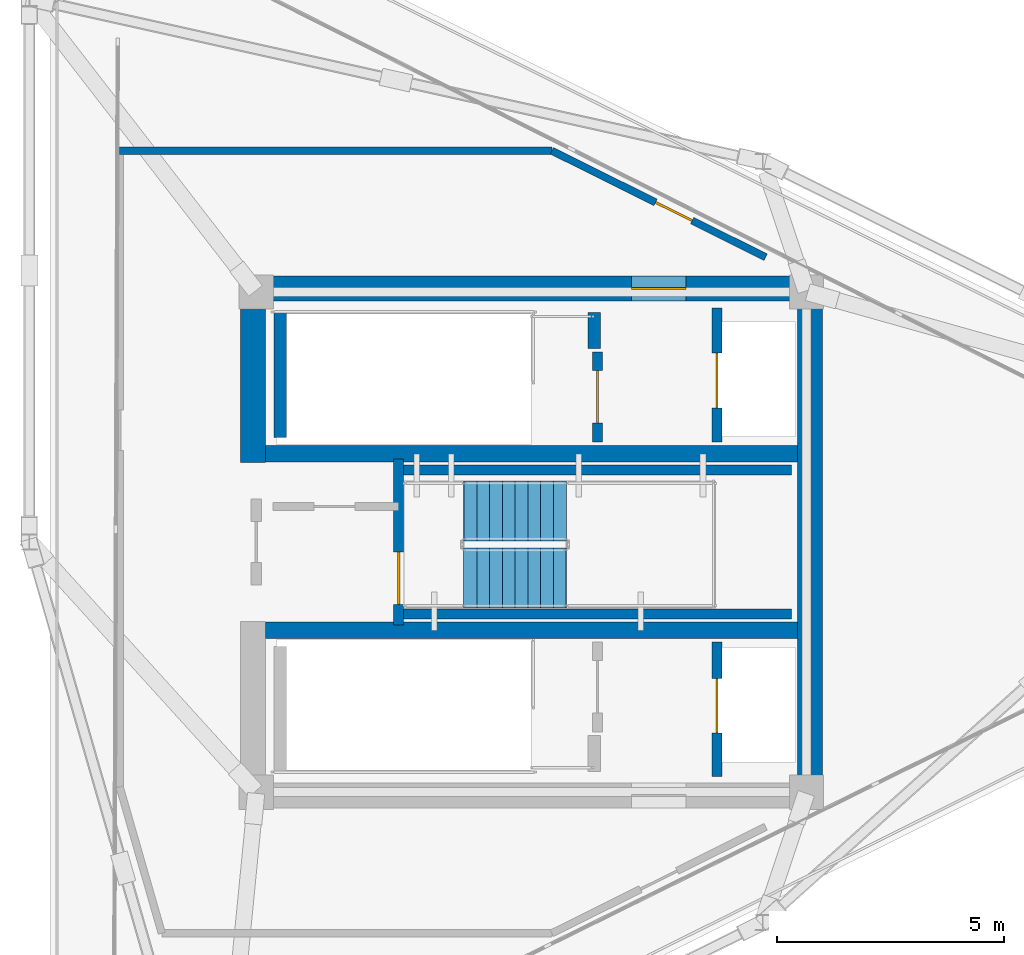
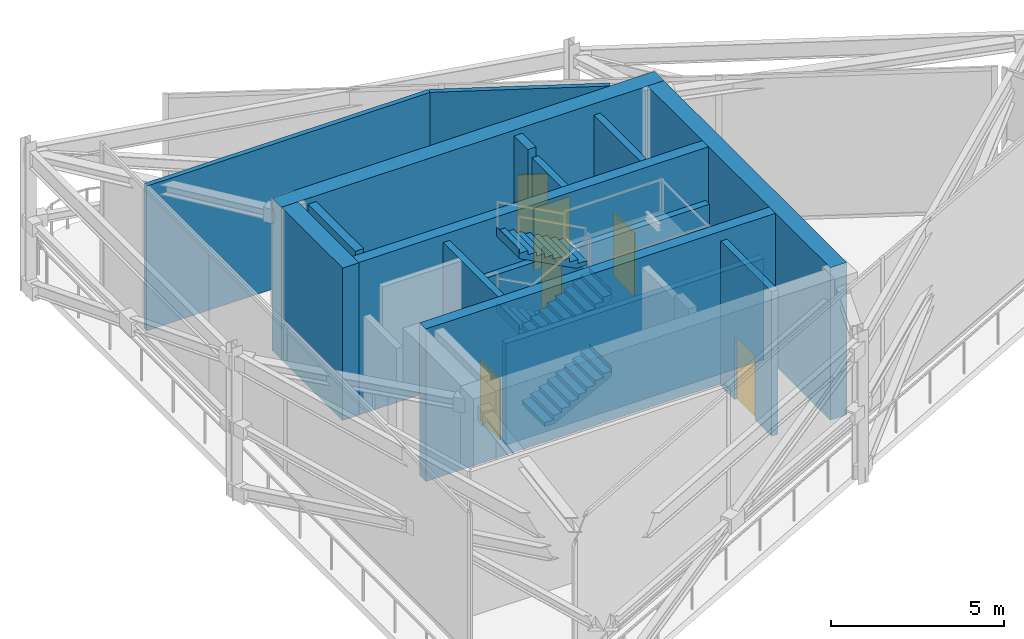
# One storey, part 4 of 7: 15 walls, 6 doors, 4 stair flights, 6 openings, 1 element without a shape of its own.
"""IFC4 building model written with IfcOpenShell, lengths in metres."""

from ifc_helpers import new_model, si_unit, direction, frame, frame_2d, origin, place, context, subcontext, project, spatial, polyline, rectangle, outline, extrude, material, layer, layer_set, type_object, element, fill, aggregate, save


model = new_model("IFC4")

# Units and contexts
model_context = context("Model", 3, precision=1e-05, world=origin(), true_north=direction((0.0, 1.0)))
body_context = subcontext(model_context, "Body", "Model", "MODEL_VIEW")
ifc_project = project(units=[si_unit("LENGTHUNIT", "METRE"), si_unit("AREAUNIT", "SQUARE_METRE"), si_unit("VOLUMEUNIT", "CUBIC_METRE"), si_unit("PLANEANGLEUNIT", "RADIAN"), si_unit("MASSUNIT", "GRAM", prefix="KILO")], contexts=[model_context])

# Site, building, storey
site_placement = place(None, origin())
site = spatial("IfcSite", under=ifc_project, at=site_placement, CompositionType="ELEMENT")
building_placement = place(site_placement, origin())
building = spatial("IfcBuilding", under=site, at=building_placement, Name="Yunling Apex Tower", CompositionType="ELEMENT")
storey_placement = place(building_placement, frame((0.0, 0.0, 322.85009765625)))
storey = spatial("IfcBuildingStorey", under=building, at=storey_placement, Name="C02", CompositionType="ELEMENT", Elevation=322.85009765625)

# Wall, opening, door
ifc_material_1 = material(Name="Concrete C40", Category="concrete")
ifc_layer_1 = layer(ifc_material_1, 0.550048828125)
ifc_layer_set_1 = layer_set([ifc_layer_1], Name="Concrete C40")
wall_type_1 = type_object("IfcWallType", Name="WL-COR-3", PredefinedType="SHEAR", material=ifc_layer_set_1)
wall_1_placement = place(storey_placement, frame((-6.39990234375, 5.574951171875, 0.0), z_axis=(0.0, 0.0, 1.0), x_axis=(1.0, 0.0, 0.0)))
wall_1 = element("IfcWall", 1, at=wall_1_placement, inside=storey, type_object=wall_type_1, Name="C02 North Core Shear Wall", PredefinedType="SHEAR", context=body_context, shape_type="SweptSolid", body=[
    extrude(rectangle(XDim=12.7998046875, YDim=0.550048828125, at=frame_2d((6.39990234375, 0.0))), origin(), (0.0, 0.0, 1.0), 5.39990234375),
])
opening_1_placement = place(wall_1_placement, frame((8.60009765625, 0.0, 0.0)))
opening_1 = element("IfcOpeningElement", 2, at=opening_1_placement, cuts=wall_1, Name="Opening DR-FFL-1", PredefinedType="OPENING", context=body_context, shape_type="SweptSolid", body=[
    extrude(rectangle(XDim=1.199951171875, YDim=2.199951171875, at=frame_2d((0.60009765625, 1.10009765625))), frame((0.0, 0.28515625, 0.0), z_axis=(0.0, -1.0, 0.0), x_axis=(1.0, 0.0, 0.0)), (0.0, 0.0, 1.0), 0.570068359375),
])
ifc_material_2 = material(Name="Steel Q355B", Category="steel")
door_type_1 = type_object("IfcDoorType", Name="DR-FFL-1", OperationType="NOTDEFINED", PredefinedType="DOOR", material=ifc_material_2)
door_1_placement = place(opening_1_placement, origin())
door_1 = element("IfcDoor", 3, at=door_1_placement, inside=storey, type_object=door_type_1, Name="C02 North Firefighting Lobby Door", OperationType="SINGLE_SWING_LEFT", OverallHeight=2.199951171875, OverallWidth=1.199951171875, PredefinedType="DOOR", context=body_context, shape_type="SweptSolid", body=[
    extrude(rectangle(XDim=1.199951171875, YDim=2.199951171875, at=frame_2d((0.60009765625, 1.10009765625))), frame((0.0, 0.02490234375, 0.0), z_axis=(0.0, -1.0, 0.0), x_axis=(1.0, 0.0, 0.0)), (0.0, 0.0, 1.0), 0.050048828125),
])
fill(opening_1, door_1)

# Walls
wall_2_placement = place(storey_placement, frame((6.125, -5.300048828125, 0.0), z_axis=(0.0, 0.0, 1.0), x_axis=(0.0, 1.0, 0.0)))
element("IfcWall", 4, at=wall_2_placement, inside=storey, type_object=wall_type_1, Name="C02 East Core Shear Wall", PredefinedType="SHEAR", context=body_context, shape_type="SweptSolid", body=[
    extrude(rectangle(XDim=10.60009765625, YDim=0.550048828125, at=frame_2d((5.300048828125, 0.0))), origin(), (0.0, 0.0, 1.0), 5.39990234375),
])
wall_3_placement = place(storey_placement, frame((-6.125, 1.75, 0.0), z_axis=(0.0, 0.0, 1.0), x_axis=(0.0, 1.0, 0.0)))
element("IfcWall", 5, at=wall_3_placement, inside=storey, type_object=wall_type_1, Name="C02 West-North Core Shear Wall", PredefinedType="SHEAR", context=body_context, shape_type="SweptSolid", body=[
    extrude(rectangle(XDim=3.550048828125, YDim=0.550048828125, at=frame_2d((1.77490234375, 0.0))), origin(), (0.0, 0.0, 1.0), 5.39990234375),
])
ifc_layer_2 = layer(ifc_material_1, 0.360107421875)
ifc_layer_set_2 = layer_set([ifc_layer_2], Name="Concrete C40")
wall_type_2 = type_object("IfcWallType", Name="WL-COR-4", PredefinedType="SHEAR", material=ifc_layer_set_2)
for number, where, z_axis, x_axis, name in (
    (6, (-5.85009765625, 1.93994140625, 0.0), (0.0, 0.0, 1.0), (1.0, 0.0, 0.0), "C02 North Internal Core Shear Wall"),
    (7, (-5.85009765625, -1.93994140625, 0.0), (0.0, 0.0, 1.0), (1.0, 0.0, 0.0), "C02 South Internal Core Shear Wall"),
):
    element("IfcWall", number, at=place(storey_placement, frame(where, z_axis=z_axis, x_axis=x_axis)), inside=storey, type_object=wall_type_2, Name=name, PredefinedType="SHEAR", context=body_context, shape_type="SweptSolid", body=[
        extrude(rectangle(XDim=11.7001953125, YDim=0.360107421875, at=frame_2d((5.85009765625, 0.0))), origin(), (0.0, 0.0, 1.0), 5.39990234375),
    ])
ifc_layer_3 = layer(ifc_material_1, 0.280029296875)
ifc_layer_set_3 = layer_set([ifc_layer_3], Name="Concrete C40")
wall_type_3 = type_object("IfcWallType", Name="WL-COR-8", PredefinedType="SHEAR", material=ifc_layer_set_3)
wall_4_placement = place(storey_placement, frame((-5.52001953125, 2.300048828125, 0.0), z_axis=(0.0, 0.0, 1.0), x_axis=(0.0, 1.0, 0.0)))
element("IfcWall", 8, at=wall_4_placement, inside=storey, type_object=wall_type_3, Name="C02 ST-1 West Landing Bearing Wall", PredefinedType="SHEAR", context=body_context, shape_type="SweptSolid", body=[
    extrude(rectangle(XDim=2.75, YDim=0.280029296875, at=frame_2d((1.375, 0.0))), origin(), (0.0, 0.0, 1.0), 5.39990234375),
])
wall_5_placement = place(storey_placement, frame((1.3798828125, 4.25, 0.0), z_axis=(0.0, 0.0, 1.0), x_axis=(0.0, 1.0, 0.0)))
element("IfcWall", 9, at=wall_5_placement, inside=storey, type_object=wall_type_3, Name="C02 ST-1 East Landing Bearing Pier", PredefinedType="SHEAR", context=body_context, shape_type="SweptSolid", body=[
    extrude(rectangle(XDim=0.800048828125, YDim=0.280029296875, at=frame_2d((0.39990234375, 0.0))), origin(), (0.0, 0.0, 1.0), 5.39990234375),
])
ifc_material_3 = material(Name="Gypsum board acoustic partition")
ifc_layer_4 = layer(ifc_material_3, 0.159912109375)
ifc_layer_set_4 = layer_set([ifc_layer_4], Name="Gypsum board acoustic partition")
wall_type_4 = type_object("IfcWallType", Name="WL-PRT-1", PredefinedType="PARTITIONING", material=ifc_layer_set_4)
wall_6_placement = place(storey_placement, frame((-9.0517578125, 8.60009765625, 0.0), z_axis=(0.0, 0.0, 1.0), x_axis=(1.0, 0.0, 0.0)))
element("IfcWall", 10, at=wall_6_placement, inside=storey, type_object=wall_type_4, Name="WL-C02-CPCR-03", PredefinedType="PARTITIONING", context=body_context, shape_type="SweptSolid", body=[
    extrude(rectangle(XDim=9.50244140625, YDim=0.159912109375, at=frame_2d((4.751220703125, 0.0))), origin(), (0.0, 0.0, 1.0), 5.119873046875),
])

# Wall, opening, door
wall_7_placement = place(storey_placement, frame((0.45068359375, 8.60009765625, 0.0), z_axis=(0.0, 0.0, 1.0), x_axis=(0.895225733131, -0.445612933766, 0.0)))
wall_7 = element("IfcWall", 11, at=wall_7_placement, inside=storey, type_object=wall_type_4, Name="WL-C02-CPCR-04", PredefinedType="PARTITIONING", context=body_context, shape_type="SweptSolid", body=[
    extrude(rectangle(XDim=5.249267578125, YDim=0.159912109375, at=frame_2d((2.62451171875, 0.0))), origin(), (0.0, 0.0, 1.0), 5.119873046875),
])
opening_2_placement = place(wall_7_placement, frame((2.54541015625, 0.0, 0.0)))
opening_2 = element("IfcOpeningElement", 12, at=opening_2_placement, cuts=wall_7, Name="Opening DR-SHF-1", PredefinedType="OPENING", context=body_context, shape_type="SweptSolid", body=[
    extrude(rectangle(XDim=0.89990234375, YDim=2.050048828125, at=frame_2d((0.449951171875, 1.02490234375))), frame((0.0, 0.08984375, 0.0), z_axis=(0.0, -1.0, 0.0), x_axis=(1.0, 0.0, 0.0)), (0.0, 0.0, 1.0), 0.179931640625),
])
door_type_2 = type_object("IfcDoorType", Name="DR-SHF-1", OperationType="NOTDEFINED", PredefinedType="DOOR", material=ifc_material_2)
door_2_placement = place(opening_2_placement, origin())
door_2 = element("IfcDoor", 13, at=door_2_placement, inside=storey, type_object=door_type_2, Name="C02 Enclosed Heat-Rejection Cooling Tower Plant Room Door", OperationType="SINGLE_SWING_RIGHT", OverallHeight=2.050048828125, OverallWidth=0.89990234375, PredefinedType="DOOR", context=body_context, shape_type="SweptSolid", body=[
    extrude(rectangle(XDim=0.89990234375, YDim=2.050048828125, at=frame_2d((0.449951171875, 1.02490234375))), frame((0.0, 0.02490234375, 0.0), z_axis=(0.0, -1.0, 0.0), x_axis=(1.0, 0.0, 0.0)), (0.0, 0.0, 1.0), 0.050048828125),
])
fill(opening_2, door_2)

ifc_material_4 = material(Name="Autoclaved aerated concrete masonry", Category="masonry")
ifc_layer_5 = layer(ifc_material_4, 0.219970703125)
ifc_layer_set_5 = layer_set([ifc_layer_5], Name="Autoclaved aerated concrete masonry")
wall_type_5 = type_object("IfcWallType", Name="WL-SHF-1", PredefinedType="PLUMBINGWALL", material=ifc_layer_set_5)
wall_8_placement = place(storey_placement, frame((1.449951171875, 2.199951171875, 0.0), z_axis=(0.0, 0.0, 1.0), x_axis=(0.0, 1.0, 0.0)))
wall_8 = element("IfcWall", 14, at=wall_8_placement, inside=storey, type_object=wall_type_5, Name="WL-ST1-E-C02", PredefinedType="PLUMBINGWALL", context=body_context, shape_type="SweptSolid", body=[
    extrude(rectangle(XDim=1.97998046875, YDim=0.219970703125, at=frame_2d((0.989990234375, 0.0))), origin(), (0.0, 0.0, 1.0), 5.119873046875),
])
opening_3_placement = place(wall_8_placement, frame((0.419921875, 0.0, 0.0)))
opening_3 = element("IfcOpeningElement", 15, at=opening_3_placement, cuts=wall_8, Name="Opening DR-ST-1", PredefinedType="OPENING", context=body_context, shape_type="SweptSolid", body=[
    extrude(rectangle(XDim=1.14990234375, YDim=2.14990234375, at=frame_2d((0.574951171875, 1.074951171875))), frame((0.0, 0.1201171875, 0.0), z_axis=(0.0, -1.0, 0.0), x_axis=(1.0, 0.0, 0.0)), (0.0, 0.0, 1.0), 0.239990234375),
])
door_type_3 = type_object("IfcDoorType", Name="DR-ST-1", OperationType="NOTDEFINED", PredefinedType="DOOR", material=ifc_material_2)
door_3_placement = place(opening_3_placement, origin())
door_3 = element("IfcDoor", 16, at=door_3_placement, inside=storey, type_object=door_type_3, Name="C02 Stair ST-1 Fire Door", OperationType="SINGLE_SWING_LEFT", OverallHeight=2.14990234375, OverallWidth=1.14990234375, PredefinedType="DOOR", context=body_context, shape_type="SweptSolid", body=[
    extrude(rectangle(XDim=1.14990234375, YDim=2.14990234375, at=frame_2d((0.574951171875, 1.074951171875))), frame((0.0, 0.02490234375, 0.0), z_axis=(0.0, -1.0, 0.0), x_axis=(1.0, 0.0, 0.0)), (0.0, 0.0, 1.0), 0.050048828125),
])
fill(opening_3, door_3)

wall_9_placement = place(storey_placement, frame((4.080078125, 2.199951171875, 0.0), z_axis=(0.0, 0.0, 1.0), x_axis=(0.0, 1.0, 0.0)))
wall_9 = element("IfcWall", 17, at=wall_9_placement, inside=storey, type_object=wall_type_5, Name="WL-FFL1-W-C02", PredefinedType="PLUMBINGWALL", context=body_context, shape_type="SweptSolid", body=[
    extrude(rectangle(XDim=2.949951171875, YDim=0.219970703125, at=frame_2d((1.47509765625, 0.0))), origin(), (0.0, 0.0, 1.0), 5.119873046875),
])
opening_4_placement = place(wall_9_placement, frame((0.75, 0.0, 0.0)))
opening_4 = element("IfcOpeningElement", 18, at=opening_4_placement, cuts=wall_9, Name="Opening LD-FFL-1", PredefinedType="OPENING", context=body_context, shape_type="SweptSolid", body=[
    extrude(rectangle(XDim=1.199951171875, YDim=2.25, at=frame_2d((0.60009765625, 1.125))), frame((0.0, 0.1201171875, 0.0), z_axis=(0.0, -1.0, 0.0), x_axis=(1.0, 0.0, 0.0)), (0.0, 0.0, 1.0), 0.239990234375),
])
door_type_4 = type_object("IfcDoorType", Name="LD-FFL-1", OperationType="DOUBLE_DOOR_SLIDING", PredefinedType="DOOR", material=ifc_material_2)
door_4_placement = place(opening_4_placement, origin())
door_4 = element("IfcDoor", 19, at=door_4_placement, inside=storey, type_object=door_type_4, Name="C02 Lift FFL-1 Landing Door", OperationType="DOUBLE_DOOR_SLIDING", OverallHeight=2.25, OverallWidth=1.199951171875, PredefinedType="DOOR", context=body_context, shape_type="SweptSolid", body=[
    extrude(rectangle(XDim=1.199951171875, YDim=2.25, at=frame_2d((0.60009765625, 1.125))), frame((0.0, 0.02490234375, 0.0), z_axis=(0.0, -1.0, 0.0), x_axis=(1.0, 0.0, 0.0)), (0.0, 0.0, 1.0), 0.050048828125),
])
fill(opening_4, door_4)

wall_10_placement = place(storey_placement, frame((4.080078125, -5.14990234375, 0.0), z_axis=(0.0, 0.0, 1.0), x_axis=(0.0, 1.0, 0.0)))
wall_10 = element("IfcWall", 20, at=wall_10_placement, inside=storey, type_object=wall_type_5, Name="WL-FFL2-W-C02", PredefinedType="PLUMBINGWALL", context=body_context, shape_type="SweptSolid", body=[
    extrude(rectangle(XDim=2.949951171875, YDim=0.219970703125, at=frame_2d((1.47509765625, 0.0))), origin(), (0.0, 0.0, 1.0), 5.119873046875),
])
opening_5_placement = place(wall_10_placement, frame((0.949951171875, 0.0, 0.0)))
opening_5 = element("IfcOpeningElement", 21, at=opening_5_placement, cuts=wall_10, Name="Opening LD-FFL-1", PredefinedType="OPENING", context=body_context, shape_type="SweptSolid", body=[
    extrude(rectangle(XDim=1.199951171875, YDim=2.25, at=frame_2d((0.60009765625, 1.125))), frame((0.0, 0.1201171875, 0.0), z_axis=(0.0, -1.0, 0.0), x_axis=(1.0, 0.0, 0.0)), (0.0, 0.0, 1.0), 0.239990234375),
])
door_5_placement = place(opening_5_placement, origin())
door_5 = element("IfcDoor", 22, at=door_5_placement, inside=storey, type_object=door_type_4, Name="C02 Lift FFL-2 Landing Door", OperationType="DOUBLE_DOOR_SLIDING", OverallHeight=2.25, OverallWidth=1.199951171875, PredefinedType="DOOR", context=body_context, shape_type="SweptSolid", body=[
    extrude(rectangle(XDim=1.199951171875, YDim=2.25, at=frame_2d((0.60009765625, 1.125))), frame((0.0, 0.02490234375, 0.0), z_axis=(0.0, -1.0, 0.0), x_axis=(1.0, 0.0, 0.0)), (0.0, 0.0, 1.0), 0.050048828125),
])
fill(opening_5, door_5)

wall_11_placement = place(storey_placement, frame((-2.919921875, -1.820068359375, 0.0), z_axis=(0.0, 0.0, 1.0), x_axis=(0.0, 1.0, 0.0)))
wall_11 = element("IfcWall", 23, at=wall_11_placement, inside=storey, type_object=wall_type_5, Name="WL-STC1-W-C02", PredefinedType="PLUMBINGWALL", context=body_context, shape_type="SweptSolid", body=[
    extrude(rectangle(XDim=3.64013671875, YDim=0.219970703125, at=frame_2d((1.820068359375, 0.0))), origin(), (0.0, 0.0, 1.0), 5.119873046875),
])
opening_6_placement = place(wall_11_placement, frame((0.449951171875, 0.0, 0.0)))
opening_6 = element("IfcOpeningElement", 24, at=opening_6_placement, cuts=wall_11, Name="Opening DR-ST-1", PredefinedType="OPENING", context=body_context, shape_type="SweptSolid", body=[
    extrude(rectangle(XDim=1.14990234375, YDim=2.14990234375, at=frame_2d((0.574951171875, 1.074951171875))), frame((0.0, 0.1201171875, 0.0), z_axis=(0.0, -1.0, 0.0), x_axis=(1.0, 0.0, 0.0)), (0.0, 0.0, 1.0), 0.239990234375),
])
door_6_placement = place(opening_6_placement, origin())
door_6 = element("IfcDoor", 25, at=door_6_placement, inside=storey, type_object=door_type_3, Name="C02 Crown Stair Door", OperationType="SINGLE_SWING_RIGHT", OverallHeight=2.14990234375, OverallWidth=1.14990234375, PredefinedType="DOOR", context=body_context, shape_type="SweptSolid", body=[
    extrude(rectangle(XDim=1.14990234375, YDim=2.14990234375, at=frame_2d((0.574951171875, 1.074951171875))), frame((0.0, 0.02490234375, 0.0), z_axis=(0.0, -1.0, 0.0), x_axis=(1.0, 0.0, 0.0)), (0.0, 0.0, 1.0), 0.050048828125),
])
fill(opening_6, door_6)

# Walls
for number, where, z_axis, x_axis, name in (
    (26, (-2.919921875, 1.580078125, 0.0), (0.0, 0.0, 1.0), (1.0, 0.0, 0.0), "WL-STC1-N-C02"),
    (27, (-2.919921875, -1.580078125, 0.0), (0.0, 0.0, 1.0), (1.0, 0.0, 0.0), "WL-STC1-S-C02"),
):
    element("IfcWall", number, at=place(storey_placement, frame(where, z_axis=z_axis, x_axis=x_axis)), inside=storey, type_object=wall_type_5, Name=name, PredefinedType="PLUMBINGWALL", context=body_context, shape_type="SweptSolid", body=[
        extrude(rectangle(XDim=8.639892578125, YDim=0.219970703125, at=frame_2d((4.31982421875, 0.0))), origin(), (0.0, 0.0, 1.0), 3.58984375),
    ])

# Stair, stair flights
stair_type = type_object("IfcStairType", Name="ST-CRN-1", PredefinedType="STRAIGHT_RUN_STAIR", material=ifc_material_1)
stair_placement = place(storey_placement, origin())
stair = element("IfcStair", 28, at=stair_placement, inside=storey, type_object=stair_type, Name="C02 Crown Maintenance Access Stair ST-C1", PredefinedType="HALF_TURN_STAIR")
stair_flight_type = type_object("IfcStairFlightType", Name="SFL-CRN-1", PredefinedType="STRAIGHT", material=ifc_material_1)
stair_flight_1_placement = place(storey_placement, frame((-1.47998046875, -0.7900390625, 0.0), z_axis=(0.0, 0.0, 1.0), x_axis=(1.0, 0.0, 0.0)))
stair_flight_1 = element("IfcStairFlight", 29, at=stair_flight_1_placement, type_object=stair_flight_type, Name="ST-C1 flight 1", NumberOfRisers=9, NumberOfTreads=8, PredefinedType="STRAIGHT", RiserHeight=0.15, TreadLength=0.28, context=body_context, shape_type="SweptSolid", body=[
    extrude(outline(polyline([(-0.011962890625, 0.0), (-0.011962890625, 0.14990234375), (0.0, 0.14990234375), (0.280029296875, 0.14990234375), (0.280029296875, 0.300048828125), (0.56005859375, 0.300048828125), (0.56005859375, 0.449951171875), (0.840087890625, 0.449951171875), (0.840087890625, 0.60009765625), (1.1201171875, 0.60009765625), (1.1201171875, 0.75), (1.39990234375, 0.75), (1.39990234375, 0.89990234375), (1.679931640625, 0.89990234375), (1.679931640625, 1.050048828125), (1.9599609375, 1.050048828125), (1.9599609375, 1.199951171875), (2.239990234375, 1.199951171875), (2.239990234375, 1.35009765625), (2.251953125, 1.35009765625), (2.251953125, 1.0185546875), (0.338623046875, 0.0), (-0.011962890625, 0.0)])), frame((0.0, 0.66015625, 0.0), z_axis=(0.0, -1.0, 0.0), x_axis=(1.0, 0.0, 0.0)), (0.0, 0.0, 1.0), 1.320068359375),
])
stair_flight_2_placement = place(storey_placement, frame((0.760009765625, 0.679931640625, 1.349853515625), z_axis=(0.0, 0.0, 1.0), x_axis=(-1.0, 0.0, 0.0)))
stair_flight_2 = element("IfcStairFlight", 30, at=stair_flight_2_placement, type_object=stair_flight_type, Name="ST-C1 flight 2", NumberOfRisers=9, NumberOfTreads=8, PredefinedType="STRAIGHT", RiserHeight=0.15, TreadLength=0.28, context=body_context, shape_type="SweptSolid", body=[
    extrude(outline(polyline([(-0.011962890625, 0.0), (-0.011962890625, 0.14990234375), (0.0, 0.14990234375), (0.280029296875, 0.14990234375), (0.280029296875, 0.300048828125), (0.56005859375, 0.300048828125), (0.56005859375, 0.449951171875), (0.840087890625, 0.449951171875), (0.840087890625, 0.60009765625), (1.1201171875, 0.60009765625), (1.1201171875, 0.75), (1.39990234375, 0.75), (1.39990234375, 0.89990234375), (1.679931640625, 0.89990234375), (1.679931640625, 1.050048828125), (1.9599609375, 1.050048828125), (1.9599609375, 1.199951171875), (2.239990234375, 1.199951171875), (2.239990234375, 1.35009765625), (2.251953125, 1.35009765625), (2.251953125, 1.0185546875), (0.338623046875, 0.0), (-0.011962890625, 0.0)])), frame((0.0, 0.66015625, 0.0), z_axis=(0.0, -1.0, 0.0), x_axis=(1.0, 0.0, 0.0)), (0.0, 0.0, 1.0), 1.320068359375),
])
stair_flight_3_placement = place(storey_placement, frame((-1.47998046875, -0.7900390625, 2.699951171875), z_axis=(0.0, 0.0, 1.0), x_axis=(1.0, 0.0, 0.0)))
stair_flight_3 = element("IfcStairFlight", 31, at=stair_flight_3_placement, type_object=stair_flight_type, Name="ST-C1 flight 3", NumberOfRisers=9, NumberOfTreads=8, PredefinedType="STRAIGHT", RiserHeight=0.15, TreadLength=0.28, context=body_context, shape_type="SweptSolid", body=[
    extrude(outline(polyline([(-0.011962890625, 0.0), (-0.011962890625, 0.14990234375), (0.0, 0.14990234375), (0.280029296875, 0.14990234375), (0.280029296875, 0.300048828125), (0.56005859375, 0.300048828125), (0.56005859375, 0.449951171875), (0.840087890625, 0.449951171875), (0.840087890625, 0.60009765625), (1.1201171875, 0.60009765625), (1.1201171875, 0.75), (1.39990234375, 0.75), (1.39990234375, 0.89990234375), (1.679931640625, 0.89990234375), (1.679931640625, 1.050048828125), (1.9599609375, 1.050048828125), (1.9599609375, 1.199951171875), (2.239990234375, 1.199951171875), (2.239990234375, 1.35009765625), (2.251953125, 1.35009765625), (2.251953125, 1.0185546875), (0.338623046875, 0.0), (-0.011962890625, 0.0)])), frame((0.0, 0.66015625, 0.0), z_axis=(0.0, -1.0, 0.0), x_axis=(1.0, 0.0, 0.0)), (0.0, 0.0, 1.0), 1.320068359375),
])
stair_flight_4_placement = place(storey_placement, frame((0.760009765625, 0.679931640625, 4.0498046875), z_axis=(0.0, 0.0, 1.0), x_axis=(-1.0, 0.0, 0.0)))
stair_flight_4 = element("IfcStairFlight", 32, at=stair_flight_4_placement, type_object=stair_flight_type, Name="ST-C1 flight 4", NumberOfRisers=9, NumberOfTreads=8, PredefinedType="STRAIGHT", RiserHeight=0.15, TreadLength=0.28, context=body_context, shape_type="SweptSolid", body=[
    extrude(outline(polyline([(-0.011962890625, 0.0), (-0.011962890625, 0.14990234375), (0.0, 0.14990234375), (0.280029296875, 0.14990234375), (0.280029296875, 0.300048828125), (0.56005859375, 0.300048828125), (0.56005859375, 0.449951171875), (0.840087890625, 0.449951171875), (0.840087890625, 0.60009765625), (1.1201171875, 0.60009765625), (1.1201171875, 0.75), (1.39990234375, 0.75), (1.39990234375, 0.89990234375), (1.679931640625, 0.89990234375), (1.679931640625, 1.050048828125), (1.9599609375, 1.050048828125), (1.9599609375, 1.199951171875), (2.239990234375, 1.199951171875), (2.239990234375, 1.35009765625), (2.251953125, 1.35009765625), (2.251953125, 1.0185546875), (0.338623046875, 0.0), (-0.011962890625, 0.0)])), frame((0.0, 0.66015625, 0.0), z_axis=(0.0, -1.0, 0.0), x_axis=(1.0, 0.0, 0.0)), (0.0, 0.0, 1.0), 1.320068359375),
])
aggregate(stair, [stair_flight_1, stair_flight_2, stair_flight_3, stair_flight_4])

save(model, "model.ifc")
